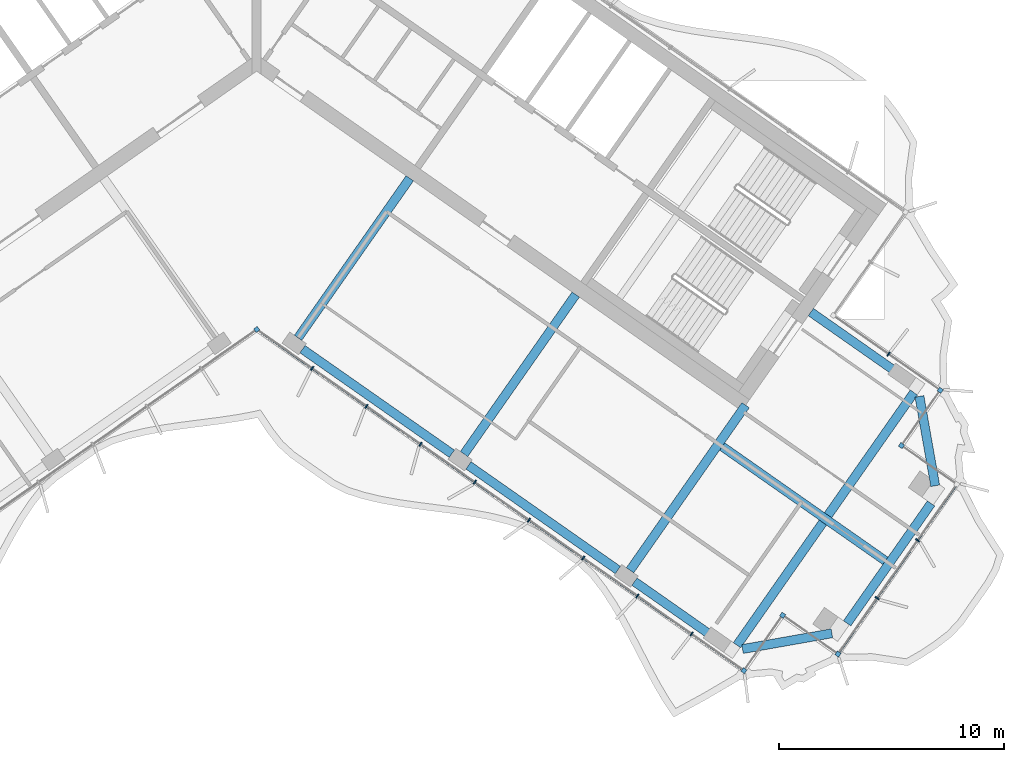
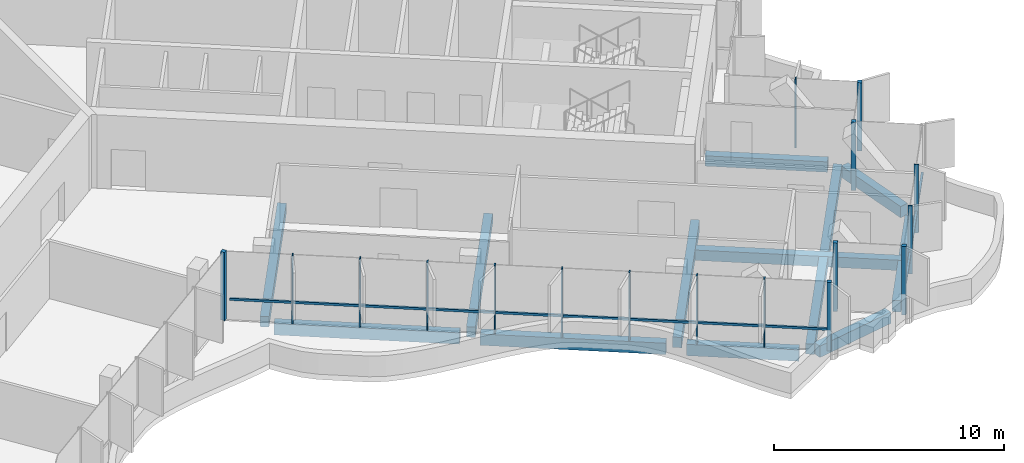
# One storey, part 4 of 18: 19 members, 12 beams, 1 element without a shape of its own.
"""IFC4 building model written with IfcOpenShell, lengths in metres."""

import ifcopenshell
import ifcopenshell.guid

model = None  # the IFC model being written
_history = None  # IfcOwnerHistory: only IFC2X3 demands one
_inside = {}  # id of a spatial element -> (the spatial element, [elements in it])
_under = {}  # id of a project, library or spatial element -> (it, [spatial elements below it])
_declared = {}  # id of a project -> (the project, [libraries it declares])
_typed = {}  # id of a type object -> (the type object, [elements of that type])
_made_of = {}  # id of a material, layer set ... -> (it, [elements and type objects made of it])


def new_model(schema):
    """Start an empty IFC model of exactly this schema.

    Asked for "IFC4X3", IfcOpenShell would pick the latest addendum, in which some entities
    have other attributes; the version numbers below select the first issue.
    IFC2X3 requires an IfcOwnerHistory on every rooted entity: one is made here for all.
    """
    global model, _history
    if schema == "IFC4X3":
        model = ifcopenshell.file(schema_version=(4, 3, 0, 0))
    else:
        model = ifcopenshell.file(schema=schema)
    _inside.clear()
    _under.clear()
    _declared.clear()
    _typed.clear()
    _made_of.clear()
    _history = None
    if model.schema == "IFC2X3":
        org = make("IfcOrganization", Name="unknown")
        user = make(
            "IfcPersonAndOrganization",
            ThePerson=make("IfcPerson", FamilyName="unknown"),
            TheOrganization=org,
        )
        app = make(
            "IfcApplication",
            ApplicationDeveloper=org,
            Version="unknown",
            ApplicationFullName="unknown",
            ApplicationIdentifier="unknown",
        )
        _history = make(
            "IfcOwnerHistory",
            OwningUser=user,
            OwningApplication=app,
            ChangeAction="ADDED",
            CreationDate=0,
        )
    return model


def make(cls, **values):
    """One entity of the class cls with the attributes given. An attribute that is None is left unset."""
    return model.create_entity(
        cls, **{name: value for name, value in values.items() if value is not None}
    )


def rooted(cls, **values):
    """An entity with a GlobalId (a new one), such as an element, a storey or a relation."""
    return make(cls, GlobalId=ifcopenshell.guid.new(), OwnerHistory=_history, **values)


def si_unit(unit_type, name, prefix=None):
    """IfcSIUnit, for example si_unit("LENGTHUNIT", "METRE", prefix="MILLI")."""
    return make("IfcSIUnit", UnitType=unit_type, Prefix=prefix, Name=name)


def assignment(units):
    """IfcUnitAssignment: the units of a project."""
    return None if units is None else make("IfcUnitAssignment", Units=units)


def point(xyz):
    """IfcCartesianPoint."""
    return None if xyz is None else make("IfcCartesianPoint", Coordinates=xyz)


def direction(xyz):
    """IfcDirection."""
    return None if xyz is None else make("IfcDirection", DirectionRatios=xyz)


def frame(location, z_axis=None, x_axis=None):
    """IfcAxis2Placement3D, a coordinate frame: its origin and axes. An axis left out is left unset."""
    return make(
        "IfcAxis2Placement3D",
        Location=point(location),
        Axis=direction(z_axis),
        RefDirection=direction(x_axis),
    )


def frame_2d(location, x_axis=None):
    """IfcAxis2Placement2D, a coordinate frame in the plane: its origin and x axis."""
    return make(
        "IfcAxis2Placement2D", Location=point(location), RefDirection=direction(x_axis)
    )


def origin():
    """The frame at (0, 0, 0) with its axes left unset."""
    return frame((0.0, 0.0, 0.0))


def origin_2d():
    """The frame at (0, 0) in the plane with its x axis left unset."""
    return frame_2d((0.0, 0.0))


def place(relative_to, where):
    """IfcLocalPlacement: puts the frame where relative to a parent placement (None: the world)."""
    return make(
        "IfcLocalPlacement", PlacementRelTo=relative_to, RelativePlacement=where
    )


def context(
    kind, dimensions, precision=None, world=None, true_north=None, identifier=None
):
    """IfcGeometricRepresentationContext, for example the 3D "Model" context."""
    return make(
        "IfcGeometricRepresentationContext",
        ContextIdentifier=identifier,
        ContextType=kind,
        CoordinateSpaceDimension=dimensions,
        Precision=precision,
        WorldCoordinateSystem=world,
        TrueNorth=true_north,
    )


def subcontext(parent, identifier, kind, view, scale=None):
    """IfcGeometricRepresentationSubContext, for example "Body" below "Model"."""
    return make(
        "IfcGeometricRepresentationSubContext",
        ContextIdentifier=identifier,
        ContextType=kind,
        ParentContext=parent,
        TargetScale=scale,
        TargetView=view,
    )


def project(units=None, contexts=None):
    """IfcProject with its units and contexts."""
    return rooted(
        "IfcProject",
        Name="project",
        RepresentationContexts=contexts,
        UnitsInContext=assignment(units),
    )


def spatial(cls, under=None, at=None, **own):
    """A site, building, storey or space (cls), placed at a placement, below another one or the project."""
    s = rooted(cls, ObjectPlacement=at, **own)
    if under is not None:
        _under.setdefault(under.id(), (under, []))[1].append(s)
    return s


def profile(cls, at=None, kind="AREA", **sizes):
    """A parametric profile (cls). Its sizes go by their IFC names, for example OverallWidth=200.0."""
    return make(cls, ProfileType=kind, Position=at, **sizes)


def rectangle(**sizes):
    """IfcRectangleProfileDef."""
    return profile("IfcRectangleProfileDef", **sizes)


def extrude(swept, where, along, depth):
    """IfcExtrudedAreaSolid: the profile swept, set in the frame where, extruded along a direction by depth."""
    return make(
        "IfcExtrudedAreaSolid",
        SweptArea=swept,
        Position=where,
        ExtrudedDirection=direction(along),
        Depth=depth,
    )


def shape(context_of_items, identifier, shape_type, items):
    """IfcShapeRepresentation: the items that make up one representation, for example the "Body"."""
    return make(
        "IfcShapeRepresentation",
        ContextOfItems=context_of_items,
        RepresentationIdentifier=identifier,
        RepresentationType=shape_type,
        Items=items,
    )


def material(Name=None, Category=None):
    """IfcMaterial."""
    return make("IfcMaterial", Name=Name, Category=Category)


def material_profile(
    of_material, cross_section, Name=None, Category=None, Priority=None
):
    """IfcMaterialProfile: a cross section and its material."""
    return make(
        "IfcMaterialProfile",
        Name=Name,
        Material=of_material,
        Profile=cross_section,
        Priority=Priority,
        Category=Category,
    )


def profile_set(profiles, Name=None, composite=None):
    """IfcMaterialProfileSet."""
    return make(
        "IfcMaterialProfileSet",
        Name=Name,
        MaterialProfiles=profiles,
        CompositeProfile=composite,
    )


def made_of(thing, what):
    """Note that an element or type object is made of a material, layer set ...; save() writes the relation."""
    if what is not None:
        _made_of.setdefault(what.id(), (what, []))[1].append(thing)
    return thing


def type_object(cls, material=None, **own):
    """A type object (cls), such as IfcWallType, which elements share."""
    return made_of(rooted(cls, **own), material)


def element(
    cls,
    number,
    at=None,
    inside=None,
    cuts=None,
    type_object=None,
    material=None,
    context=None,
    identifier="Body",
    shape_type=None,
    held_by="IfcProductDefinitionShape",
    body=None,
    shapes=None,
    **own,
):
    """One element of the class cls, such as IfcWall. Its Tag is "e" and its number.

    at: its placement. inside: the storey or other place that contains it. cuts: it is an
    opening in that element (IfcRelVoidsElement). A single representation is given by context,
    identifier, shape_type and body (its items); several are given by shapes. held_by: the class
    of the entity that holds the representations. save() writes the other relations.
    """
    e = rooted(cls, Tag="e%d" % number, ObjectPlacement=at, **own)
    if body is not None:
        shapes = [shape(context, identifier, shape_type, body)]
    if shapes is not None:
        e.Representation = make(held_by, Representations=shapes)
    if inside is not None:
        _inside.setdefault(inside.id(), (inside, []))[1].append(e)
    if cuts is not None:
        rooted(
            "IfcRelVoidsElement", RelatingBuildingElement=cuts, RelatedOpeningElement=e
        )
    if type_object is not None:
        _typed.setdefault(type_object.id(), (type_object, []))[1].append(e)
    return made_of(e, material)


def aggregate(whole, parts):
    """IfcRelAggregates: a whole, such as a stair, and the parts it consists of."""
    return rooted("IfcRelAggregates", RelatingObject=whole, RelatedObjects=parts)


def save(model, path):
    """Write the relations noted so far, then the file.

    IfcRelAggregates (storeys below a building ...), IfcRelContainedInSpatialStructure (elements
    in a storey), IfcRelDefinesByType, IfcRelAssociatesMaterial and IfcRelDeclares: one each for
    every whole, place, type object, material and project.
    """
    for whole, parts in _under.values():
        aggregate(whole, parts)
    for where, things in _inside.values():
        rooted(
            "IfcRelContainedInSpatialStructure",
            RelatedElements=things,
            RelatingStructure=where,
        )
    for kind, things in _typed.values():
        rooted("IfcRelDefinesByType", RelatedObjects=things, RelatingType=kind)
    for what, things in _made_of.values():
        rooted("IfcRelAssociatesMaterial", RelatedObjects=things, RelatingMaterial=what)
    for by, libraries in _declared.values():
        rooted("IfcRelDeclares", RelatingContext=by, RelatedDefinitions=libraries)
    model.write(path)


model = new_model("IFC4")

# Units and contexts
model_context = context("Model", 3, precision=1e-05, world=origin(), true_north=direction((0.0, 1.0)))
body_context = subcontext(model_context, "Body", "Model", "MODEL_VIEW")
ifc_project = project(units=[si_unit("LENGTHUNIT", "METRE"), si_unit("AREAUNIT", "SQUARE_METRE"), si_unit("VOLUMEUNIT", "CUBIC_METRE"), si_unit("PLANEANGLEUNIT", "RADIAN"), si_unit("MASSUNIT", "GRAM", prefix="KILO")], contexts=[model_context])

# Site, building, storey
site_placement = place(None, origin())
site = spatial("IfcSite", under=ifc_project, at=site_placement, CompositionType="ELEMENT")
building_placement = place(site_placement, origin())
building = spatial("IfcBuilding", under=site, at=building_placement, Name="Tel Ilan Convention Tower", CompositionType="ELEMENT")
storey_placement = place(building_placement, frame((0.0, 0.0, 268.300048828125)))
storey = spatial("IfcBuildingStorey", under=building, at=storey_placement, Name="L63", CompositionType="ELEMENT", Elevation=268.300048828125)

# Beams
ifc_material_1 = material(Name="Concrete C40/50", Category="concrete")
ifc_material_profile_1 = material_profile(ifc_material_1, rectangle(XDim=0.39990234375, YDim=0.550048828125, at=origin_2d()), Name="RC 400x550")
ifc_profile_set_1 = profile_set([ifc_material_profile_1], Name="Concrete C40/50")
beam_type_1 = type_object("IfcBeamType", Name="Beam RC 400x550 Concrete C40/50", PredefinedType="BEAM", material=ifc_profile_set_1)
beam_1_placement = place(storey_placement, frame((28.99462890625, -14.991943359375, -0.554931640625), z_axis=(-0.819146154531, 0.573584847705, 0.0), x_axis=(-0.573584847705, -0.819146154531, 0.0)))
element("IfcBeam", 1, at=beam_1_placement, inside=storey, type_object=beam_type_1, Name="L63 beam E-E-BC-core", PredefinedType="BEAM", context=body_context, shape_type="SweptSolid", body=[
    extrude(rectangle(XDim=0.39990234375, YDim=0.550048828125, at=origin_2d()), origin(), (0.0, 0.0, 1.0), 5.349853515625),
])
for number, where, z_axis, x_axis, name in (
    (2, (1.83740234375, -13.06689453125, -0.554931640625), (0.573574099654, 0.819153680457, 0.0), (-0.819153680457, 0.573574099654, 0.0), "L63 beam E-E-F1-core"),
    (3, (9.209716796875, -18.229248046875, -0.554931640625), (0.573574099654, 0.819153680457, 0.0), (-0.819153680457, 0.573574099654, 0.0), "L63 beam E-E-F2-core"),
):
    element("IfcBeam", number, at=place(storey_placement, frame(where, z_axis=z_axis, x_axis=x_axis)), inside=storey, type_object=beam_type_1, Name=name, PredefinedType="BEAM", context=body_context, shape_type="SweptSolid", body=[
        extrude(rectangle(XDim=0.39990234375, YDim=0.550048828125, at=origin_2d()), origin(), (0.0, 0.0, 1.0), 8.64990234375),
    ])
beam_2_placement = place(storey_placement, frame((16.58203125, -23.391357421875, -0.554931640625), z_axis=(0.573584999642, 0.819146048141, 0.0), x_axis=(-0.819146048141, 0.573584999642, 0.0)))
element("IfcBeam", 4, at=beam_2_placement, inside=storey, type_object=beam_type_1, Name="L63 beam E-E-F3-core", PredefinedType="BEAM", context=body_context, shape_type="SweptSolid", body=[
    extrude(rectangle(XDim=0.39990234375, YDim=0.550048828125, at=origin_2d()), origin(), (0.0, 0.0, 1.0), 8.949951171875),
])
beam_3_placement = place(storey_placement, frame((20.6748046875, -17.89501953125, -0.554931640625), z_axis=(0.819162208319, -0.573561920338, 0.0), x_axis=(0.573561920338, 0.819162208319, 0.0)))
element("IfcBeam", 5, at=beam_3_placement, inside=storey, type_object=beam_type_1, Name="L63 beam E-core-end", PredefinedType="BEAM", context=body_context, shape_type="SweptSolid", body=[
    extrude(rectangle(XDim=0.39990234375, YDim=0.550048828125, at=origin_2d()), origin(), (0.0, 0.0, 1.0), 9.0498046875),
])
beam_4_placement = place(storey_placement, frame((21.333251953125, -26.718017578125, -0.554931640625), z_axis=(0.57357117602, 0.819155727587, 0.0), x_axis=(-0.819155727587, 0.57357117602, 0.0)))
element("IfcBeam", 6, at=beam_4_placement, inside=storey, type_object=beam_type_1, Name="L63 beam E-E-FC-E-BC", PredefinedType="BEAM", context=body_context, shape_type="SweptSolid", body=[
    extrude(rectangle(XDim=0.39990234375, YDim=0.550048828125, at=origin_2d()), origin(), (0.0, 0.0, 1.0), 13.699951171875),
])
ifc_material_2 = material(Name="Concrete C40/50", Category="concrete")
ifc_material_profile_2 = material_profile(ifc_material_2, rectangle(XDim=0.39990234375, YDim=0.60009765625, at=origin_2d()), Name="RC 400x600")
ifc_profile_set_2 = profile_set([ifc_material_profile_2], Name="Concrete C40/50")
beam_type_2 = type_object("IfcBeamType", Name="Beam RC 400x600 Concrete C40/50", PredefinedType="BEAM", material=ifc_profile_set_2)
beam_5_placement = place(storey_placement, frame((2.033935546875, -13.57080078125, -0.580078125), z_axis=(0.81914553362, -0.573585734437, 0.0), x_axis=(0.573585734437, 0.81914553362, 0.0)))
element("IfcBeam", 7, at=beam_5_placement, inside=storey, type_object=beam_type_2, Name="L63 beam E-E-F1-E-F2", PredefinedType="BEAM", context=body_context, shape_type="SweptSolid", body=[
    extrude(rectangle(XDim=0.39990234375, YDim=0.60009765625, at=origin_2d()), origin(), (0.0, 0.0, 1.0), 8.099853515625),
])
beam_6_placement = place(storey_placement, frame((9.40625, -18.73291015625, -0.580078125), z_axis=(0.819155449703, -0.573571572885, 0.0), x_axis=(0.573571572885, 0.819155449703, 0.0)))
element("IfcBeam", 8, at=beam_6_placement, inside=storey, type_object=beam_type_2, Name="L63 beam E-E-F2-E-F3", PredefinedType="BEAM", context=body_context, shape_type="SweptSolid", body=[
    extrude(rectangle(XDim=0.39990234375, YDim=0.60009765625, at=origin_2d()), origin(), (0.0, 0.0, 1.0), 8.10009765625),
])
beam_7_placement = place(storey_placement, frame((16.778564453125, -23.895263671875, -0.580078125), z_axis=(0.819154669329, -0.573572687386, 0.0), x_axis=(0.573572687386, 0.819154669329, 0.0)))
element("IfcBeam", 9, at=beam_7_placement, inside=storey, type_object=beam_type_2, Name="L63 beam E-E-F3-E-FC", PredefinedType="BEAM", context=body_context, shape_type="SweptSolid", body=[
    extrude(rectangle(XDim=0.39990234375, YDim=0.60009765625, at=origin_2d()), origin(), (0.0, 0.0, 1.0), 4.900146484375),
])
beam_8_placement = place(storey_placement, frame((21.578857421875, -26.89013671875, -0.580078125), z_axis=(0.984804894423, 0.173664388751, 0.0), x_axis=(-0.173664388751, 0.984804894423, 0.0)))
element("IfcBeam", 10, at=beam_8_placement, inside=storey, type_object=beam_type_2, Name="L63 beam E-E-FC-E-E1", PredefinedType="BEAM", context=body_context, shape_type="SweptSolid", body=[
    extrude(rectangle(XDim=0.39990234375, YDim=0.60009765625, at=origin_2d()), origin(), (0.0, 0.0, 1.0), 4.030517578125),
])
beam_9_placement = place(storey_placement, frame((26.22412109375, -25.748046875, -0.580078125), z_axis=(0.573580816643, 0.819148977158, 0.0), x_axis=(-0.819148977158, 0.573580816643, 0.0)))
element("IfcBeam", 11, at=beam_9_placement, inside=storey, type_object=beam_type_2, Name="L63 beam E-E-E1-E-E2", PredefinedType="BEAM", context=body_context, shape_type="SweptSolid", body=[
    extrude(rectangle(XDim=0.39990234375, YDim=0.60009765625, at=origin_2d()), origin(), (0.0, 0.0, 1.0), 6.5),
])
beam_10_placement = place(storey_placement, frame((30.13671875, -19.63720703125, -0.580078125), z_axis=(-0.173595285393, 0.984817077883, 0.0), x_axis=(-0.984817077883, -0.173595285393, 0.0)))
element("IfcBeam", 12, at=beam_10_placement, inside=storey, type_object=beam_type_2, Name="L63 beam E-E-E2-E-BC", PredefinedType="BEAM", context=body_context, shape_type="SweptSolid", body=[
    extrude(rectangle(XDim=0.39990234375, YDim=0.60009765625, at=origin_2d()), origin(), (0.0, 0.0, 1.0), 4.03076171875),
])

# Curtain wall, members
ifc_material_3 = material(Name="Aluminium, bronze anodised", Category="aluminium")
curtain_wall_type = type_object("IfcCurtainWallType", Name="CW5 STICK CURTAIN WALL, UPPER OFFICE LOW-IRON TINTED GLASS", PredefinedType="NOTDEFINED", material=ifc_material_3)
curtain_wall_placement = place(storey_placement, origin())
curtain_wall = element("IfcCurtainWall", 13, at=curtain_wall_placement, inside=storey, type_object=curtain_wall_type, Name="Curtain wall CW5-48.02", PredefinedType="NOTDEFINED")
ifc_material_4 = material(Name="Aluminium, bronze anodised", Category="aluminium")
ifc_material_profile_3 = material_profile(ifc_material_4, rectangle(XDim=0.199951171875, YDim=0.199951171875, at=origin_2d()), Name="CW CORNER MULLION 200x200")
ifc_profile_set_3 = profile_set([ifc_material_profile_3], Name="Aluminium, bronze anodised")
member_type_1 = type_object("IfcMemberType", Name="CW CORNER MULLION 200x200", PredefinedType="MULLION", material=ifc_profile_set_3)
member_1_placement = place(storey_placement, frame((0.0, -12.696044921875, 0.0), z_axis=(0.0, 0.0, 1.0), x_axis=(0.819152044289, 0.573576436351, 0.0)))
member_1 = element("IfcMember", 14, at=member_1_placement, type_object=member_type_1, Name="Corner mullion", PredefinedType="MULLION", context=body_context, shape_type="SweptSolid", body=[
    extrude(rectangle(XDim=0.199951171875, YDim=0.199951171875, at=origin_2d()), origin(), (0.0, 0.0, 1.0), 3.619873046875),
])
member_2_placement = place(storey_placement, frame((21.64013671875, -27.8486328125, 0.0), z_axis=(0.0, 0.0, 1.0), x_axis=(0.819152044289, -0.573576436351, 0.0)))
member_2 = element("IfcMember", 15, at=member_2_placement, type_object=member_type_1, Name="Corner mullion", PredefinedType="MULLION", context=body_context, shape_type="SweptSolid", body=[
    extrude(rectangle(XDim=0.199951171875, YDim=0.199951171875, at=origin_2d()), origin(), (0.0, 0.0, 1.0), 3.619873046875),
])
member_3_placement = place(storey_placement, frame((23.36083984375, -25.391357421875, 0.0), z_axis=(0.0, 0.0, 1.0), x_axis=(0.573576436351, 0.819152044289, 0.0)))
member_3 = element("IfcMember", 16, at=member_3_placement, type_object=member_type_1, Name="Corner mullion", PredefinedType="MULLION", context=body_context, shape_type="SweptSolid", body=[
    extrude(rectangle(XDim=0.199951171875, YDim=0.199951171875, at=origin_2d()), origin(), (0.0, 0.0, 1.0), 3.619873046875),
])
member_4_placement = place(storey_placement, frame((25.818359375, -27.112060546875, 0.0), z_axis=(0.0, 0.0, 1.0), x_axis=(0.819152044289, -0.573576436351, 0.0)))
member_4 = element("IfcMember", 17, at=member_4_placement, type_object=member_type_1, Name="Corner mullion", PredefinedType="MULLION", context=body_context, shape_type="SweptSolid", body=[
    extrude(rectangle(XDim=0.199951171875, YDim=0.199951171875, at=origin_2d()), origin(), (0.0, 0.0, 1.0), 3.619873046875),
])
member_5_placement = place(storey_placement, frame((28.637939453125, -17.85498046875, 0.0), z_axis=(0.0, 0.0, 1.0), x_axis=(-0.819152044289, 0.573576436351, 0.0)))
member_5 = element("IfcMember", 18, at=member_5_placement, type_object=member_type_1, Name="Corner mullion", PredefinedType="MULLION", context=body_context, shape_type="SweptSolid", body=[
    extrude(rectangle(XDim=0.199951171875, YDim=0.199951171875, at=origin_2d()), origin(), (0.0, 0.0, 1.0), 3.619873046875),
])
member_6_placement = place(storey_placement, frame((30.358642578125, -15.397705078125, 0.0), z_axis=(0.0, 0.0, 1.0), x_axis=(0.573576436351, 0.819152044289, 0.0)))
member_6 = element("IfcMember", 19, at=member_6_placement, type_object=member_type_1, Name="Corner mullion", PredefinedType="MULLION", context=body_context, shape_type="SweptSolid", body=[
    extrude(rectangle(XDim=0.199951171875, YDim=0.199951171875, at=origin_2d()), origin(), (0.0, 0.0, 1.0), 3.619873046875),
])
ifc_material_5 = material(Name="Aluminium, bronze anodised", Category="aluminium")
ifc_material_profile_4 = material_profile(ifc_material_5, rectangle(XDim=0.06005859375, YDim=0.199951171875, at=origin_2d()), Name="CW MULLION 60x200")
ifc_profile_set_4 = profile_set([ifc_material_profile_4], Name="Aluminium, bronze anodised")
member_type_2 = type_object("IfcMemberType", Name="CW MULLION 60x200", PredefinedType="MULLION", material=ifc_profile_set_4)
member_7_placement = place(storey_placement, frame((2.464599609375, -14.421875, 0.0), z_axis=(0.0, 0.0, 1.0), x_axis=(0.819152044289, -0.573576436351, 0.0)))
member_7 = element("IfcMember", 20, at=member_7_placement, type_object=member_type_2, Name="Mullion", PredefinedType="MULLION", context=body_context, shape_type="SweptSolid", body=[
    extrude(rectangle(XDim=0.06005859375, YDim=0.199951171875, at=origin_2d()), origin(), (0.0, 0.0, 1.0), 3.619873046875),
])
member_8_placement = place(storey_placement, frame((4.871826171875, -16.107177734375, 0.0), z_axis=(0.0, 0.0, 1.0), x_axis=(0.819152044289, -0.573576436351, 0.0)))
member_8 = element("IfcMember", 21, at=member_8_placement, type_object=member_type_2, Name="Mullion", PredefinedType="MULLION", context=body_context, shape_type="SweptSolid", body=[
    extrude(rectangle(XDim=0.06005859375, YDim=0.199951171875, at=origin_2d()), origin(), (0.0, 0.0, 1.0), 3.619873046875),
])
member_9_placement = place(storey_placement, frame((7.279052734375, -17.792724609375, 0.0), z_axis=(0.0, 0.0, 1.0), x_axis=(0.819152044289, -0.573576436351, 0.0)))
member_9 = element("IfcMember", 22, at=member_9_placement, type_object=member_type_2, Name="Mullion", PredefinedType="MULLION", context=body_context, shape_type="SweptSolid", body=[
    extrude(rectangle(XDim=0.06005859375, YDim=0.199951171875, at=origin_2d()), origin(), (0.0, 0.0, 1.0), 3.619873046875),
])
member_10_placement = place(storey_placement, frame((9.68603515625, -19.478271484375, 0.0), z_axis=(0.0, 0.0, 1.0), x_axis=(0.819152044289, -0.573576436351, 0.0)))
member_10 = element("IfcMember", 23, at=member_10_placement, type_object=member_type_2, Name="Mullion", PredefinedType="MULLION", context=body_context, shape_type="SweptSolid", body=[
    extrude(rectangle(XDim=0.06005859375, YDim=0.199951171875, at=origin_2d()), origin(), (0.0, 0.0, 1.0), 3.619873046875),
])
member_11_placement = place(storey_placement, frame((12.09326171875, -21.163818359375, 0.0), z_axis=(0.0, 0.0, 1.0), x_axis=(0.819152044289, -0.573576436351, 0.0)))
member_11 = element("IfcMember", 24, at=member_11_placement, type_object=member_type_2, Name="Mullion", PredefinedType="MULLION", context=body_context, shape_type="SweptSolid", body=[
    extrude(rectangle(XDim=0.06005859375, YDim=0.199951171875, at=origin_2d()), origin(), (0.0, 0.0, 1.0), 3.619873046875),
])
member_12_placement = place(storey_placement, frame((14.50048828125, -22.849365234375, 0.0), z_axis=(0.0, 0.0, 1.0), x_axis=(0.819152044289, -0.573576436351, 0.0)))
member_12 = element("IfcMember", 25, at=member_12_placement, type_object=member_type_2, Name="Mullion", PredefinedType="MULLION", context=body_context, shape_type="SweptSolid", body=[
    extrude(rectangle(XDim=0.06005859375, YDim=0.199951171875, at=origin_2d()), origin(), (0.0, 0.0, 1.0), 3.619873046875),
])
member_13_placement = place(storey_placement, frame((16.90771484375, -24.534912109375, 0.0), z_axis=(0.0, 0.0, 1.0), x_axis=(0.819152044289, -0.573576436351, 0.0)))
member_13 = element("IfcMember", 26, at=member_13_placement, type_object=member_type_2, Name="Mullion", PredefinedType="MULLION", context=body_context, shape_type="SweptSolid", body=[
    extrude(rectangle(XDim=0.06005859375, YDim=0.199951171875, at=origin_2d()), origin(), (0.0, 0.0, 1.0), 3.619873046875),
])
member_14_placement = place(storey_placement, frame((19.31494140625, -26.220458984375, 0.0), z_axis=(0.0, 0.0, 1.0), x_axis=(0.819152044289, -0.573576436351, 0.0)))
member_14 = element("IfcMember", 27, at=member_14_placement, type_object=member_type_2, Name="Mullion", PredefinedType="MULLION", context=body_context, shape_type="SweptSolid", body=[
    extrude(rectangle(XDim=0.06005859375, YDim=0.199951171875, at=origin_2d()), origin(), (0.0, 0.0, 1.0), 3.619873046875),
])
member_15_placement = place(storey_placement, frame((27.558349609375, -24.627197265625, 0.0), z_axis=(0.0, 0.0, 1.0), x_axis=(0.573576436351, 0.819152044289, 0.0)))
member_15 = element("IfcMember", 28, at=member_15_placement, type_object=member_type_2, Name="Mullion", PredefinedType="MULLION", context=body_context, shape_type="SweptSolid", body=[
    extrude(rectangle(XDim=0.06005859375, YDim=0.199951171875, at=origin_2d()), origin(), (0.0, 0.0, 1.0), 3.619873046875),
])
member_16_placement = place(storey_placement, frame((29.35546875, -22.060546875, 0.0), z_axis=(0.0, 0.0, 1.0), x_axis=(0.573576436351, 0.819152044289, 0.0)))
member_16 = element("IfcMember", 29, at=member_16_placement, type_object=member_type_2, Name="Mullion", PredefinedType="MULLION", context=body_context, shape_type="SweptSolid", body=[
    extrude(rectangle(XDim=0.06005859375, YDim=0.199951171875, at=origin_2d()), origin(), (0.0, 0.0, 1.0), 3.619873046875),
])
member_17_placement = place(storey_placement, frame((28.06494140625, -13.79150390625, 0.0), z_axis=(0.0, 0.0, 1.0), x_axis=(-0.819152044289, 0.573576436351, 0.0)))
member_17 = element("IfcMember", 30, at=member_17_placement, type_object=member_type_2, Name="Mullion", PredefinedType="MULLION", context=body_context, shape_type="SweptSolid", body=[
    extrude(rectangle(XDim=0.06005859375, YDim=0.199951171875, at=origin_2d()), origin(), (0.0, 0.0, 1.0), 3.619873046875),
])
ifc_material_6 = material(Name="Aluminium, bronze anodised", Category="aluminium")
ifc_material_profile_5 = material_profile(ifc_material_6, rectangle(XDim=0.10009765625, YDim=0.1201171875, at=origin_2d()), Name="CW TRANSOM 100x120")
ifc_profile_set_5 = profile_set([ifc_material_profile_5], Name="Aluminium, bronze anodised")
member_type_3 = type_object("IfcMemberType", Name="CW TRANSOM 100x120", PredefinedType="USERDEFINED", material=ifc_profile_set_5)
member_18_placement = place(storey_placement, frame((0.22119140625, -12.850830078125, 1.099853515625), z_axis=(0.819152212587, -0.573576195996, 0.0), x_axis=(0.573576195996, 0.819152212587, 0.0)))
member_18 = element("IfcMember", 31, at=member_18_placement, type_object=member_type_3, Name="Transom", ObjectType="TRANSOM", PredefinedType="USERDEFINED", context=body_context, shape_type="SweptSolid", body=[
    extrude(rectangle(XDim=0.10009765625, YDim=0.1201171875, at=origin_2d()), origin(), (0.0, 0.0, 1.0), 26.0478515625),
])
member_19_placement = place(storey_placement, frame((25.875732421875, -27.030029296875, 1.099853515625), z_axis=(0.573573395961, 0.819154173185, 0.0), x_axis=(-0.819154173185, 0.573573395961, 0.0)))
member_19 = element("IfcMember", 32, at=member_19_placement, type_object=member_type_3, Name="Transom", ObjectType="TRANSOM", PredefinedType="USERDEFINED", context=body_context, shape_type="SweptSolid", body=[
    extrude(rectangle(XDim=0.10009765625, YDim=0.1201171875, at=origin_2d()), origin(), (0.0, 0.0, 1.0), 9.0),
])
aggregate(curtain_wall, [member_1, member_7, member_8, member_9, member_10, member_11, member_12, member_13, member_14, member_2, member_18, member_3, member_4, member_15, member_16, member_19, member_5, member_6, member_17])

save(model, "model.ifc")
